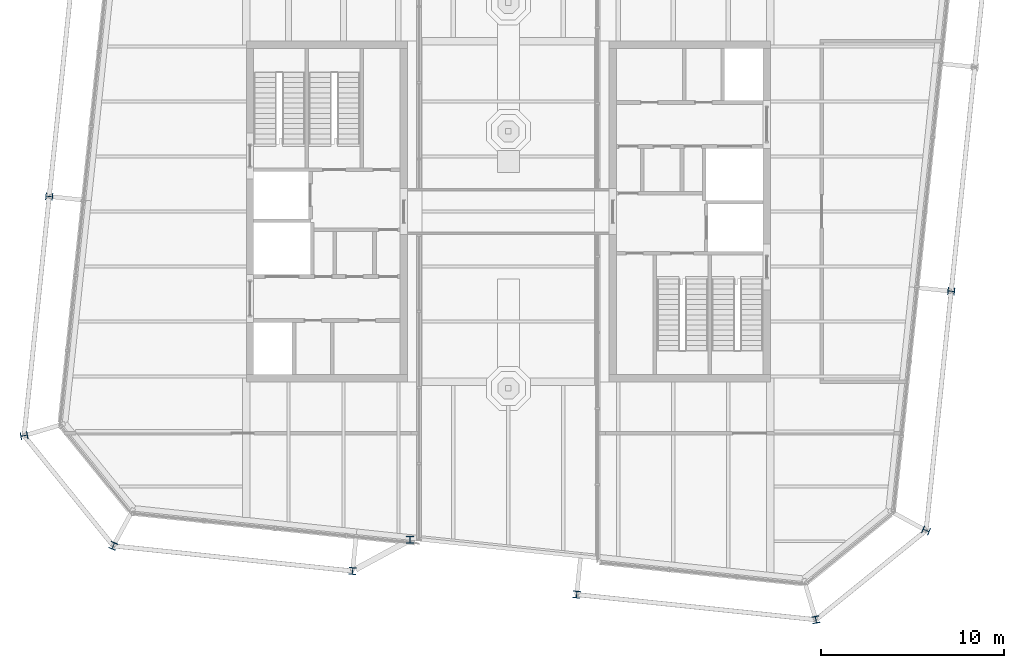
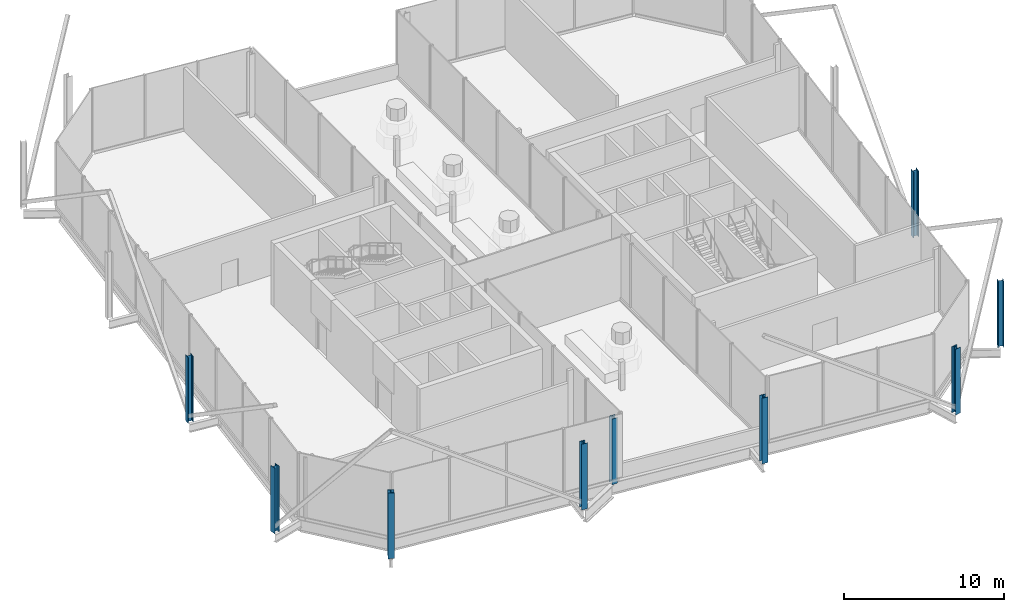
# One storey, part 1 of 14: 9 columns.
"""IFC4 building model written with IfcOpenShell, lengths in metres."""

from ifc_helpers import new_model, si_unit, direction, frame, origin, origin_2d, place, context, subcontext, project, spatial, i_section, extrude, material, material_profile, profile_set, type_object, element, save


model = new_model("IFC4")

# Units and contexts
model_context = context("Model", 3, precision=1e-05, world=origin(), true_north=direction((0.0, 1.0)))
body_context = subcontext(model_context, "Body", "Model", "MODEL_VIEW")
ifc_project = project(units=[si_unit("LENGTHUNIT", "METRE"), si_unit("AREAUNIT", "SQUARE_METRE"), si_unit("VOLUMEUNIT", "CUBIC_METRE"), si_unit("PLANEANGLEUNIT", "RADIAN"), si_unit("MASSUNIT", "GRAM", prefix="KILO")], contexts=[model_context])

# Site, building, storey
site_placement = place(None, origin())
site = spatial("IfcSite", under=ifc_project, at=site_placement, CompositionType="ELEMENT")
building_placement = place(site_placement, origin())
building = spatial("IfcBuilding", under=site, at=building_placement, Name="Millrace Tower", CompositionType="ELEMENT")
storey_placement = place(building_placement, frame((0.0, 0.0, 342.10009765625)))
storey = spatial("IfcBuildingStorey", under=building, at=storey_placement, Name="L79", CompositionType="ELEMENT", Elevation=342.10009765625)

# Columns
ifc_material_1 = material(Name="Steel ASTM A913 Grade 65", Category="steel")
ifc_material_profile_1 = material_profile(ifc_material_1, i_section(OverallWidth=0.396240234375, OverallDepth=0.381103515625, WebThickness=0.018798828125, FlangeThickness=0.0302734375, FilletRadius=0.01513671875, at=origin_2d()))
ifc_profile_set_1 = profile_set([ifc_material_profile_1], Name="Steel ASTM A913 Grade 65")
column_type_1 = type_object("IfcColumnType", Name="Crown corner post W14x159", PredefinedType="COLUMN", material=ifc_profile_set_1)
column_placement = place(storey_placement, frame((-5.369140625, -17.9248046875, -0.2001953125), z_axis=(0.0, 0.0, 1.0), x_axis=(1.0, 0.0, 0.0)))
element("IfcColumn", 1, at=column_placement, inside=storey, type_object=column_type_1, Name="COL-CROWN-L79-SW-P01", PredefinedType="COLUMN", context=body_context, shape_type="SweptSolid", body=[
    extrude(i_section(OverallWidth=0.396240234375, OverallDepth=0.381103515625, WebThickness=0.018798828125, FlangeThickness=0.0302734375, FilletRadius=0.01513671875, at=origin_2d()), origin(), (0.0, 0.0, 1.0), 5.0),
])
ifc_material_2 = material(Name="Steel ASTM A913 Grade 65", Category="steel")
ifc_material_profile_2 = material_profile(ifc_material_2, i_section(OverallWidth=0.393798828125, OverallDepth=0.3759765625, WebThickness=0.017333984375, FlangeThickness=0.027587890625, FilletRadius=0.01513671875, at=origin_2d()))
ifc_profile_set_2 = profile_set([ifc_material_profile_2], Name="Steel ASTM A913 Grade 65")
column_type_2 = type_object("IfcColumnType", Name="Exoskeleton column W14x145", PredefinedType="COLUMN", material=ifc_profile_set_2)
for number, where, z_axis, x_axis, name in (
    (2, (-8.50341796875, -19.62158203125, 0.0), (0.0, 0.0, 1.0), (0.994521897246, -0.104528445407, 0.0), "COL-E-L79-X03"),
    (3, (3.729248046875, -20.9072265625, 0.0), (0.0, 0.0, 1.0), (0.994521897246, -0.104528445407, 0.0), "COL-E-L79-X04"),
    (4, (24.171630859375, -4.353271484375, 0.0), (0.0, 0.0, 1.0), (0.104528445407, 0.994521897246, 0.0), "COL-E-L79-X07"),
    (5, (-25.057373046875, 0.82080078125, 0.0), (0.0, 0.0, 1.0), (-0.104528445407, -0.994521897246, 0.0), "COL-E-L79-X16"),
):
    element("IfcColumn", number, at=place(storey_placement, frame(where, z_axis=z_axis, x_axis=x_axis)), inside=storey, type_object=column_type_2, Name=name, PredefinedType="COLUMN", context=body_context, shape_type="SweptSolid", body=[
        extrude(i_section(OverallWidth=0.393798828125, OverallDepth=0.3759765625, WebThickness=0.017333984375, FlangeThickness=0.027587890625, FilletRadius=0.01513671875, at=origin_2d()), origin(), (0.0, 0.0, 1.0), 5.0),
    ])
ifc_material_3 = material(Name="Steel ASTM A913 Grade 65", Category="steel")
ifc_material_profile_3 = material_profile(ifc_material_3, i_section(OverallWidth=0.396240234375, OverallDepth=0.381103515625, WebThickness=0.018798828125, FlangeThickness=0.0302734375, FilletRadius=0.01513671875, at=origin_2d()))
ifc_profile_set_3 = profile_set([ifc_material_profile_3], Name="Steel ASTM A913 Grade 65")
column_type_3 = type_object("IfcColumnType", Name="Exoskeleton column W14x159", PredefinedType="COLUMN", material=ifc_profile_set_3)
for number, where, z_axis, x_axis, name in (
    (6, (-26.429443359375, -12.23583984375, 0.0), (0.0, 0.0, 1.0), (0.18038747256, -0.983595628164, 0.0), "COL-E-L79-X01"),
    (7, (-21.559814453125, -18.249267578125, 0.0), (0.0, 0.0, 1.0), (0.92459700658, -0.380946683176, 0.0), "COL-E-L79-X02"),
    (8, (16.78564453125, -22.279541015625, 0.0), (0.0, 0.0, 1.0), (0.983595628164, 0.18038747256, 0.0), "COL-E-L79-X05"),
    (9, (22.79931640625, -17.409912109375, 0.0), (0.0, 0.0, 1.0), (0.380946683176, 0.92459700658, 0.0), "COL-E-L79-X06"),
):
    element("IfcColumn", number, at=place(storey_placement, frame(where, z_axis=z_axis, x_axis=x_axis)), inside=storey, type_object=column_type_3, Name=name, PredefinedType="COLUMN", context=body_context, shape_type="SweptSolid", body=[
        extrude(i_section(OverallWidth=0.396240234375, OverallDepth=0.381103515625, WebThickness=0.018798828125, FlangeThickness=0.0302734375, FilletRadius=0.01513671875, at=origin_2d()), origin(), (0.0, 0.0, 1.0), 5.0),
    ])

save(model, "model.ifc")
